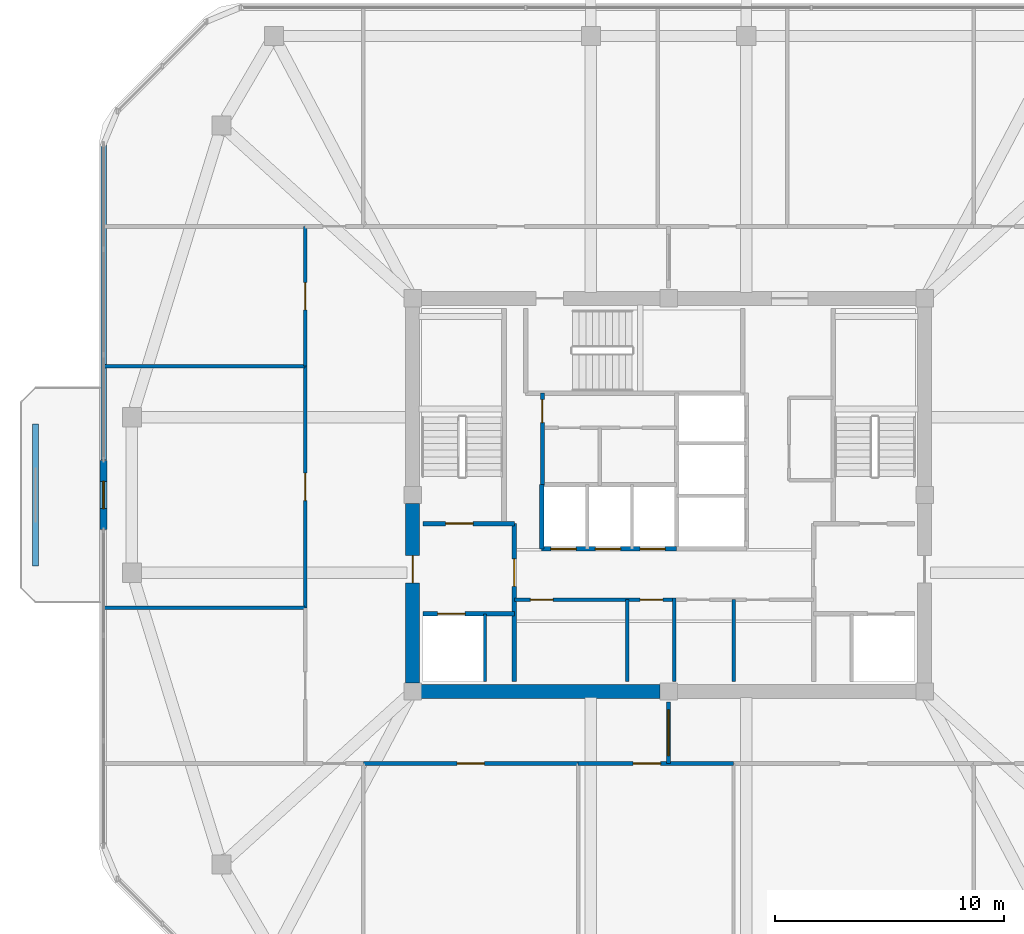
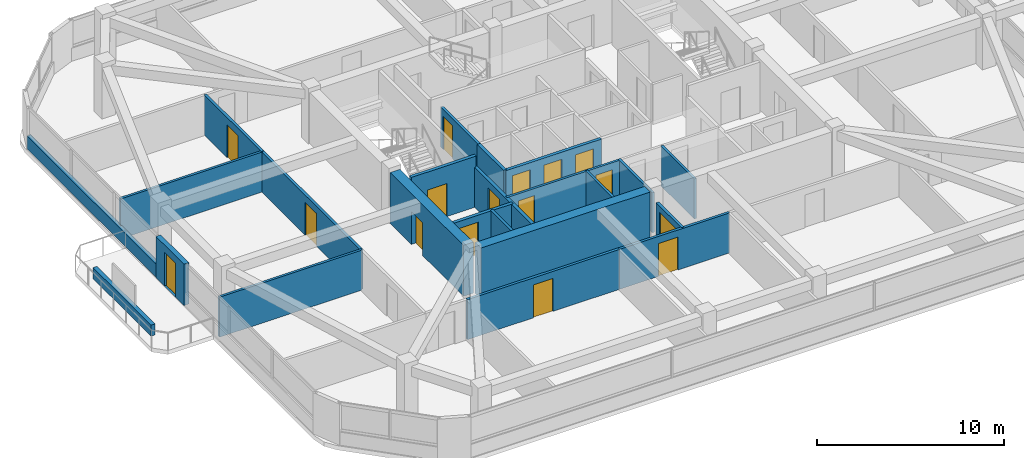
# One storey, part 9 of 14: 23 walls, 16 doors, 16 openings.
"""IFC4 building model written with IfcOpenShell, lengths in metres."""

from ifc_helpers import new_model, si_unit, derived_unit, direction, frame, frame_2d, origin, place, context, subcontext, project, spatial, rectangle, extrude, material, layer, layer_set, type_object, element, fill, save


model = new_model("IFC4")

# Units and contexts
model_context = context("Model", 3, precision=1e-05, world=origin(), true_north=direction((0.0, 1.0)))
body_context = subcontext(model_context, "Body", "Model", "MODEL_VIEW")
ifc_project = project(units=[si_unit("LENGTHUNIT", "METRE"), si_unit("AREAUNIT", "SQUARE_METRE"), si_unit("VOLUMEUNIT", "CUBIC_METRE"), si_unit("PLANEANGLEUNIT", "RADIAN"), si_unit("MASSUNIT", "GRAM", prefix="KILO"), derived_unit("THERMALTRANSMITTANCEUNIT", [(si_unit("POWERUNIT", "WATT"), 1), (si_unit("LENGTHUNIT", "METRE"), -2), (si_unit("THERMODYNAMICTEMPERATUREUNIT", "KELVIN"), -1)])], contexts=[model_context])

# Site, building, storey
site_placement = place(None, origin())
site = spatial("IfcSite", under=ifc_project, at=site_placement, CompositionType="ELEMENT")
building_placement = place(site_placement, origin())
building = spatial("IfcBuilding", under=site, at=building_placement, Name="Koralith Skygarden Medical Center", CompositionType="ELEMENT")
storey_placement = place(building_placement, frame((0.0, 0.0, 257.219970703125)))
storey = spatial("IfcBuildingStorey", under=building, at=storey_placement, Name="L66", CompositionType="ELEMENT", Elevation=257.219970703125)

# Wall, openings, doors
ifc_material_1 = material(Name="Gypsum Board Partition")
ifc_layer_1 = layer(ifc_material_1, 0.14990234375)
ifc_layer_set_1 = layer_set([ifc_layer_1], Name="Gypsum Board Partition")
wall_type_1 = type_object("IfcWallType", Name="Clinical Acoustic Partition 150", PredefinedType="PARTITIONING", material=ifc_layer_set_1)
wall_1_placement = place(storey_placement, frame((30.25, 21.320068359375, 0.0), z_axis=(0.0, 0.0, 1.0), x_axis=(1.0, 0.0, 0.0)))
wall_1 = element("IfcWall", 1, at=wall_1_placement, inside=storey, type_object=wall_type_1, Name="L66 Clinical Acoustic Partition 150 W-CORE-L66-FREED-LR-N", PredefinedType="PARTITIONING", context=body_context, shape_type="SweptSolid", body=[
    extrude(rectangle(XDim=7.0, YDim=0.14990234375, at=frame_2d((3.5, 0.0))), origin(), (0.0, 0.0, 1.0), 2.610107421875),
])
opening_1_placement = place(wall_1_placement, frame((0.699951171875, 0.0, 0.0)))
opening_1 = element("IfcOpeningElement", 2, at=opening_1_placement, cuts=wall_1, Name="Opening D-SUP", PredefinedType="OPENING", context=body_context, shape_type="SweptSolid", body=[
    extrude(rectangle(XDim=1.0, YDim=2.14990234375, at=frame_2d((0.5, 1.074951171875))), frame((0.0, 0.0849609375, 0.0), z_axis=(0.0, -1.0, 0.0), x_axis=(1.0, 0.0, 0.0)), (0.0, 0.0, 1.0), 0.169921875),
])
opening_2_placement = place(wall_1_placement, frame((5.5, 0.0, 0.0)))
opening_2 = element("IfcOpeningElement", 3, at=opening_2_placement, cuts=wall_1, Name="Opening D-SUP", PredefinedType="OPENING", context=body_context, shape_type="SweptSolid", body=[
    extrude(rectangle(XDim=1.0, YDim=2.14990234375, at=frame_2d((0.5, 1.074951171875))), frame((0.0, 0.0849609375, 0.0), z_axis=(0.0, -1.0, 0.0), x_axis=(1.0, 0.0, 0.0)), (0.0, 0.0, 1.0), 0.169921875),
])
ifc_material_2 = material(Name="Aluminium 6063-T6", Category="aluminium")
door_type_1 = type_object("IfcDoorType", Name="Clinical Support Door D-SUP 1000", OperationType="NOTDEFINED", PredefinedType="DOOR", material=ifc_material_2)
door_1_placement = place(opening_1_placement, frame((1.0, 0.0, 0.0), z_axis=(0.0, 0.0, 1.0), x_axis=(-1.0, 0.0, 0.0)))
door_1 = element("IfcDoor", 4, at=door_1_placement, inside=storey, type_object=door_type_1, Name="L66 Medication Preparation Door", OperationType="SINGLE_SWING_LEFT", OverallHeight=2.14990234375, OverallWidth=1.0, PredefinedType="DOOR", context=body_context, shape_type="SweptSolid", body=[
    extrude(rectangle(XDim=1.0, YDim=2.14990234375, at=frame_2d((0.5, 1.074951171875))), frame((0.0, 0.02490234375, 0.0), z_axis=(0.0, -1.0, 0.0), x_axis=(1.0, 0.0, 0.0)), (0.0, 0.0, 1.0), 0.050048828125),
])
fill(opening_1, door_1)
door_2_placement = place(opening_2_placement, frame((1.0, 0.0, 0.0), z_axis=(0.0, 0.0, 1.0), x_axis=(-1.0, 0.0, 0.0)))
door_2 = element("IfcDoor", 5, at=door_2_placement, inside=storey, type_object=door_type_1, Name="L66 Telemetry Room Door", OperationType="SINGLE_SWING_RIGHT", OverallHeight=2.14990234375, OverallWidth=1.0, PredefinedType="DOOR", context=body_context, shape_type="SweptSolid", body=[
    extrude(rectangle(XDim=1.0, YDim=2.14990234375, at=frame_2d((0.5, 1.074951171875))), frame((0.0, 0.02490234375, 0.0), z_axis=(0.0, -1.0, 0.0), x_axis=(1.0, 0.0, 0.0)), (0.0, 0.0, 1.0), 0.050048828125),
])
fill(opening_2, door_2)

# Walls
for number, where, z_axis, x_axis, name in (
    (6, (35.199951171875, 17.75, 0.0), (0.0, 0.0, 1.0), (0.0, 1.0, 0.0), "L66 Clinical Acoustic Partition 150 W-CORE-L66-FREED-LR-M"),
    (7, (39.85009765625, 17.75, 0.0), (0.0, 0.0, 1.0), (0.0, 1.0, 0.0), "L66 Clinical Acoustic Partition 150 W-CORE-L66-FREED-MR-M"),
):
    element("IfcWall", number, at=place(storey_placement, frame(where, z_axis=z_axis, x_axis=x_axis)), inside=storey, type_object=wall_type_1, Name=name, PredefinedType="PARTITIONING", context=body_context, shape_type="SweptSolid", body=[
        extrude(rectangle(XDim=3.570068359375, YDim=0.14990234375, at=frame_2d((1.78515625, 0.0))), origin(), (0.0, 0.0, 1.0), 2.610107421875),
    ])
for number, where, z_axis, x_axis, name in (
    (8, (21.10009765625, 20.965087890625, 0.0), (0.0, 0.0, 1.0), (-1.0, 0.0, 0.0), "L66 Clinical Acoustic Partition 150 W-PART-L66-W-01"),
    (9, (21.10009765625, 31.5400390625, 0.0), (0.0, 0.0, 1.0), (-1.0, 0.0, 0.0), "L66 Clinical Acoustic Partition 150 W-PART-L66-W-02"),
):
    element("IfcWall", number, at=place(storey_placement, frame(where, z_axis=z_axis, x_axis=x_axis)), inside=storey, type_object=wall_type_1, Name=name, PredefinedType="PARTITIONING", context=body_context, shape_type="SweptSolid", body=[
        extrude(rectangle(XDim=8.800048828125, YDim=0.14990234375, at=frame_2d((4.39990234375, 0.0))), origin(), (0.0, 0.0, 1.0), 2.610107421875),
    ])

# Wall, opening, door
ifc_layer_2 = layer(ifc_material_1, 0.1650390625)
ifc_layer_set_2 = layer_set([ifc_layer_2], Name="Gypsum Board Partition")
wall_type_2 = type_object("IfcWallType", Name="Clinical Corridor Partition 165", PredefinedType="PARTITIONING", material=ifc_layer_set_2)
wall_2_placement = place(storey_placement, frame((23.64990234375, 14.14990234375, 0.0), z_axis=(0.0, 0.0, 1.0), x_axis=(1.0, 0.0, 0.0)))
wall_2 = element("IfcWall", 10, at=wall_2_placement, inside=storey, type_object=wall_type_2, Name="L66 Clinical Corridor Partition 165 W-CORR-L66-S-02", PredefinedType="PARTITIONING", context=body_context, shape_type="SweptSolid", body=[
    extrude(rectangle(XDim=9.39111328125, YDim=0.1650390625, at=frame_2d((4.695556640625, 0.0))), origin(), (0.0, 0.0, 1.0), 2.610107421875),
])
opening_3_placement = place(wall_2_placement, frame((4.094970703125, 0.0, 0.0)))
opening_3 = element("IfcOpeningElement", 11, at=opening_3_placement, cuts=wall_2, Name="Opening D-CLN", PredefinedType="OPENING", context=body_context, shape_type="SweptSolid", body=[
    extrude(rectangle(XDim=1.199951171875, YDim=2.14990234375, at=frame_2d((0.60009765625, 1.074951171875))), frame((0.0, 0.092529296875, 0.0), z_axis=(0.0, -1.0, 0.0), x_axis=(1.0, 0.0, 0.0)), (0.0, 0.0, 1.0), 0.18505859375),
])
door_type_2 = type_object("IfcDoorType", Name="Clinical Corridor Door D-CLN 1200", OperationType="NOTDEFINED", PredefinedType="DOOR", material=ifc_material_2)
door_3_placement = place(opening_3_placement, frame((1.199951171875, 0.0, 0.0), z_axis=(0.0, 0.0, 1.0), x_axis=(-1.0, 0.0, 0.0)))
door_3 = element("IfcDoor", 12, at=door_3_placement, inside=storey, type_object=door_type_2, Name="L66 Vestibular Testing Exam Room 07 Door", OperationType="SINGLE_SWING_RIGHT", OverallHeight=2.14990234375, OverallWidth=1.199951171875, PredefinedType="DOOR", context=body_context, shape_type="SweptSolid", body=[
    extrude(rectangle(XDim=1.199951171875, YDim=2.14990234375, at=frame_2d((0.60009765625, 1.074951171875))), frame((0.0, 0.02490234375, 0.0), z_axis=(0.0, -1.0, 0.0), x_axis=(1.0, 0.0, 0.0)), (0.0, 0.0, 1.0), 0.050048828125),
])
fill(opening_3, door_3)

wall_3_placement = place(storey_placement, frame((33.041015625, 14.14990234375, 0.0), z_axis=(0.0, 0.0, 1.0), x_axis=(1.0, 0.0, 0.0)))
wall_3 = element("IfcWall", 13, at=wall_3_placement, inside=storey, type_object=wall_type_2, Name="L66 Clinical Corridor Partition 165 W-CORR-L66-S-03", PredefinedType="PARTITIONING", context=body_context, shape_type="SweptSolid", body=[
    extrude(rectangle(XDim=6.801025390625, YDim=0.1650390625, at=frame_2d((3.400390625, 0.0))), origin(), (0.0, 0.0, 1.0), 2.610107421875),
])
opening_4_placement = place(wall_3_placement, frame((2.412109375, 0.0, 0.0)))
opening_4 = element("IfcOpeningElement", 14, at=opening_4_placement, cuts=wall_3, Name="Opening D-CLN", PredefinedType="OPENING", context=body_context, shape_type="SweptSolid", body=[
    extrude(rectangle(XDim=1.199951171875, YDim=2.14990234375, at=frame_2d((0.60009765625, 1.074951171875))), frame((0.0, 0.092529296875, 0.0), z_axis=(0.0, -1.0, 0.0), x_axis=(1.0, 0.0, 0.0)), (0.0, 0.0, 1.0), 0.18505859375),
])
door_4_placement = place(opening_4_placement, frame((1.199951171875, 0.0, 0.0), z_axis=(0.0, 0.0, 1.0), x_axis=(-1.0, 0.0, 0.0)))
door_4 = element("IfcDoor", 15, at=door_4_placement, inside=storey, type_object=door_type_2, Name="L66 Clinical Consultation Office 08 Door", OperationType="SINGLE_SWING_LEFT", OverallHeight=2.14990234375, OverallWidth=1.199951171875, PredefinedType="DOOR", context=body_context, shape_type="SweptSolid", body=[
    extrude(rectangle(XDim=1.199951171875, YDim=2.14990234375, at=frame_2d((0.60009765625, 1.074951171875))), frame((0.0, 0.02490234375, 0.0), z_axis=(0.0, -1.0, 0.0), x_axis=(1.0, 0.0, 0.0)), (0.0, 0.0, 1.0), 0.050048828125),
])
fill(opening_4, door_4)

wall_4_placement = place(storey_placement, frame((21.10009765625, 20.965087890625, 0.0), z_axis=(0.0, 0.0, 1.0), x_axis=(0.0, 1.0, 0.0)))
wall_4 = element("IfcWall", 16, at=wall_4_placement, inside=storey, type_object=wall_type_2, Name="L66 Clinical Corridor Partition 165 W-CORR-L66-W-02", PredefinedType="PARTITIONING", context=body_context, shape_type="SweptSolid", body=[
    extrude(rectangle(XDim=10.574951171875, YDim=0.1650390625, at=frame_2d((5.28759765625, 0.0))), origin(), (0.0, 0.0, 1.0), 2.610107421875),
])
opening_5_placement = place(wall_4_placement, frame((4.68798828125, 0.0, 0.0)))
opening_5 = element("IfcOpeningElement", 17, at=opening_5_placement, cuts=wall_4, Name="Opening D-CLN", PredefinedType="OPENING", context=body_context, shape_type="SweptSolid", body=[
    extrude(rectangle(XDim=1.199951171875, YDim=2.14990234375, at=frame_2d((0.60009765625, 1.074951171875))), frame((0.0, 0.092529296875, 0.0), z_axis=(0.0, -1.0, 0.0), x_axis=(1.0, 0.0, 0.0)), (0.0, 0.0, 1.0), 0.18505859375),
])
door_5_placement = place(opening_5_placement, frame((1.199951171875, 0.0, 0.0), z_axis=(0.0, 0.0, 1.0), x_axis=(-1.0, 0.0, 0.0)))
door_5 = element("IfcDoor", 18, at=door_5_placement, inside=storey, type_object=door_type_2, Name="L66 Patient and Family Sky-Garden Day Lounge 12 Door", OperationType="SINGLE_SWING_LEFT", OverallHeight=2.14990234375, OverallWidth=1.199951171875, PredefinedType="DOOR", context=body_context, shape_type="SweptSolid", body=[
    extrude(rectangle(XDim=1.199951171875, YDim=2.14990234375, at=frame_2d((0.60009765625, 1.074951171875))), frame((0.0, 0.02490234375, 0.0), z_axis=(0.0, -1.0, 0.0), x_axis=(1.0, 0.0, 0.0)), (0.0, 0.0, 1.0), 0.050048828125),
])
fill(opening_5, door_5)

wall_5_placement = place(storey_placement, frame((21.10009765625, 31.5400390625, 0.0), z_axis=(0.0, 0.0, 1.0), x_axis=(0.0, 1.0, 0.0)))
wall_5 = element("IfcWall", 19, at=wall_5_placement, inside=storey, type_object=wall_type_2, Name="L66 Clinical Corridor Partition 165 W-CORR-L66-W-03", PredefinedType="PARTITIONING", context=body_context, shape_type="SweptSolid", body=[
    extrude(rectangle(XDim=6.10986328125, YDim=0.1650390625, at=frame_2d((3.054931640625, 0.0))), origin(), (0.0, 0.0, 1.0), 2.610107421875),
])
opening_6_placement = place(wall_5_placement, frame((2.455078125, 0.0, 0.0)))
opening_6 = element("IfcOpeningElement", 20, at=opening_6_placement, cuts=wall_5, Name="Opening D-CLN", PredefinedType="OPENING", context=body_context, shape_type="SweptSolid", body=[
    extrude(rectangle(XDim=1.199951171875, YDim=2.14990234375, at=frame_2d((0.60009765625, 1.074951171875))), frame((0.0, 0.092529296875, 0.0), z_axis=(0.0, -1.0, 0.0), x_axis=(1.0, 0.0, 0.0)), (0.0, 0.0, 1.0), 0.18505859375),
])
door_6_placement = place(opening_6_placement, frame((1.199951171875, 0.0, 0.0), z_axis=(0.0, 0.0, 1.0), x_axis=(-1.0, 0.0, 0.0)))
door_6 = element("IfcDoor", 21, at=door_6_placement, inside=storey, type_object=door_type_2, Name="L66 Clinical Consultation Office 13 Door", OperationType="SINGLE_SWING_RIGHT", OverallHeight=2.14990234375, OverallWidth=1.199951171875, PredefinedType="DOOR", context=body_context, shape_type="SweptSolid", body=[
    extrude(rectangle(XDim=1.199951171875, YDim=2.14990234375, at=frame_2d((0.60009765625, 1.074951171875))), frame((0.0, 0.02490234375, 0.0), z_axis=(0.0, -1.0, 0.0), x_axis=(1.0, 0.0, 0.0)), (0.0, 0.0, 1.0), 0.050048828125),
])
fill(opening_6, door_6)

ifc_layer_3 = layer(ifc_material_1, 0.199951171875)
ifc_layer_set_3 = layer_set([ifc_layer_3], Name="Gypsum Board Partition")
wall_type_3 = type_object("IfcWallType", Name="Fire Shaft Wall 200", PredefinedType="SOLIDWALL", material=ifc_layer_set_3)
wall_6_placement = place(storey_placement, frame((26.25, 20.699951171875, 0.0), z_axis=(0.0, 0.0, 1.0), x_axis=(1.0, 0.0, 0.0)))
wall_6 = element("IfcWall", 22, at=wall_6_placement, inside=storey, type_object=wall_type_3, Name="L66 Fire Shaft Wall 200 W-CORE-L66-FF1-N", PredefinedType="SOLIDWALL", context=body_context, shape_type="SweptSolid", body=[
    extrude(rectangle(XDim=4.0, YDim=0.199951171875, at=frame_2d((2.0, 0.0))), origin(), (0.0, 0.0, 1.0), 2.610107421875),
])
opening_7_placement = place(wall_6_placement, frame((0.64990234375, 0.0, 0.0)))
opening_7 = element("IfcOpeningElement", 23, at=opening_7_placement, cuts=wall_6, Name="Opening LD-FF", PredefinedType="OPENING", context=body_context, shape_type="SweptSolid", body=[
    extrude(rectangle(XDim=1.199951171875, YDim=2.14990234375, at=frame_2d((0.60009765625, 1.074951171875))), frame((0.0, 0.10986328125, 0.0), z_axis=(0.0, -1.0, 0.0), x_axis=(1.0, 0.0, 0.0)), (0.0, 0.0, 1.0), 0.219970703125),
])
ifc_material_3 = material(Name="Steel ASTM A500 Grade C", Category="steel")
door_type_3 = type_object("IfcDoorType", Name="Fire Lift Sliding Landing Door LD-FF 1200", OperationType="NOTDEFINED", PredefinedType="DOOR", material=ifc_material_3)
door_7_placement = place(opening_7_placement, origin())
door_7 = element("IfcDoor", 24, at=door_7_placement, inside=storey, type_object=door_type_3, Name="L66 Fire Service Elevator FF1 Landing Door", OperationType="SLIDING_TO_LEFT", OverallHeight=2.14990234375, OverallWidth=1.199951171875, PredefinedType="DOOR", context=body_context, shape_type="SweptSolid", body=[
    extrude(rectangle(XDim=1.199951171875, YDim=2.14990234375, at=frame_2d((0.60009765625, 1.074951171875))), frame((0.0, 0.02490234375, 0.0), z_axis=(0.0, -1.0, 0.0), x_axis=(1.0, 0.0, 0.0)), (0.0, 0.0, 1.0), 0.050048828125),
])
fill(opening_7, door_7)

wall_7_placement = place(storey_placement, frame((30.25, 17.75, 0.0), z_axis=(0.0, 0.0, 1.0), x_axis=(0.0, 1.0, 0.0)))
wall_7 = element("IfcWall", 25, at=wall_7_placement, inside=storey, type_object=wall_type_3, Name="L66 Fire Shaft Wall 200 W-CORE-L66-FSAEW-E", PredefinedType="SOLIDWALL", context=body_context, shape_type="SweptSolid", body=[
    extrude(rectangle(XDim=6.89990234375, YDim=0.199951171875, at=frame_2d((3.449951171875, 0.0))), origin(), (0.0, 0.0, 1.0), 2.610107421875),
])
opening_8_placement = place(wall_7_placement, frame((4.14990234375, 0.0, 0.0)))
opening_8 = element("IfcOpeningElement", 26, at=opening_8_placement, cuts=wall_7, Name="Opening D-ST60", PredefinedType="OPENING", context=body_context, shape_type="SweptSolid", body=[
    extrude(rectangle(XDim=1.199951171875, YDim=2.14990234375, at=frame_2d((0.60009765625, 1.074951171875))), frame((0.0, 0.10986328125, 0.0), z_axis=(0.0, -1.0, 0.0), x_axis=(1.0, 0.0, 0.0)), (0.0, 0.0, 1.0), 0.219970703125),
])
door_type_4 = type_object("IfcDoorType", Name="Smokeproof Stair Fire Door FD60S 1200", OperationType="NOTDEFINED", PredefinedType="DOOR", material=ifc_material_3)
door_8_placement = place(opening_8_placement, origin())
door_8 = element("IfcDoor", 27, at=door_8_placement, inside=storey, type_object=door_type_4, Name="L66 West Firefighting Lobby Inner Fire Door", OperationType="SINGLE_SWING_LEFT", OverallHeight=2.14990234375, OverallWidth=1.199951171875, PredefinedType="DOOR", context=body_context, shape_type="SweptSolid", body=[
    extrude(rectangle(XDim=1.199951171875, YDim=2.14990234375, at=frame_2d((0.60009765625, 1.074951171875))), frame((0.0, 0.02490234375, 0.0), z_axis=(0.0, -1.0, 0.0), x_axis=(1.0, 0.0, 0.0)), (0.0, 0.0, 1.0), 0.050048828125),
])
fill(opening_8, door_8)

# Wall, openings, doors
wall_8_placement = place(storey_placement, frame((31.449951171875, 23.5400390625, 0.0), z_axis=(0.0, 0.0, 1.0), x_axis=(1.0, 0.0, 0.0)))
wall_8 = element("IfcWall", 28, at=wall_8_placement, inside=storey, type_object=wall_type_3, Name="L66 Fire Shaft Wall 200 W-CORE-L66-PH-S", PredefinedType="SOLIDWALL", context=body_context, shape_type="SweptSolid", body=[
    extrude(rectangle(XDim=5.900146484375, YDim=0.199951171875, at=frame_2d((2.9501953125, 0.0))), origin(), (0.0, 0.0, 1.0), 2.610107421875),
])
opening_9_placement = place(wall_8_placement, frame((0.39990234375, 0.0, 0.0)))
opening_9 = element("IfcOpeningElement", 29, at=opening_9_placement, cuts=wall_8, Name="Opening LD-P", PredefinedType="OPENING", context=body_context, shape_type="SweptSolid", body=[
    extrude(rectangle(XDim=1.10009765625, YDim=2.14990234375, at=frame_2d((0.550048828125, 1.074951171875))), frame((0.0, 0.10986328125, 0.0), z_axis=(0.0, -1.0, 0.0), x_axis=(1.0, 0.0, 0.0)), (0.0, 0.0, 1.0), 0.219970703125),
])
opening_10_placement = place(wall_8_placement, frame((2.35009765625, 0.0, 0.0)))
opening_10 = element("IfcOpeningElement", 30, at=opening_10_placement, cuts=wall_8, Name="Opening LD-P", PredefinedType="OPENING", context=body_context, shape_type="SweptSolid", body=[
    extrude(rectangle(XDim=1.10009765625, YDim=2.14990234375, at=frame_2d((0.550048828125, 1.074951171875))), frame((0.0, 0.10986328125, 0.0), z_axis=(0.0, -1.0, 0.0), x_axis=(1.0, 0.0, 0.0)), (0.0, 0.0, 1.0), 0.219970703125),
])
opening_11_placement = place(wall_8_placement, frame((4.300048828125, 0.0, 0.0)))
opening_11 = element("IfcOpeningElement", 31, at=opening_11_placement, cuts=wall_8, Name="Opening LD-P", PredefinedType="OPENING", context=body_context, shape_type="SweptSolid", body=[
    extrude(rectangle(XDim=1.10009765625, YDim=2.14990234375, at=frame_2d((0.550048828125, 1.074951171875))), frame((0.0, 0.10986328125, 0.0), z_axis=(0.0, -1.0, 0.0), x_axis=(1.0, 0.0, 0.0)), (0.0, 0.0, 1.0), 0.219970703125),
])
door_type_5 = type_object("IfcDoorType", Name="Passenger Lift Sliding Landing Door LD-P 1100", OperationType="NOTDEFINED", PredefinedType="DOOR", material=ifc_material_3)
door_9_placement = place(opening_9_placement, origin())
door_9 = element("IfcDoor", 32, at=door_9_placement, inside=storey, type_object=door_type_5, Name="L66 Passenger Elevator PH1 Landing Door", OperationType="SLIDING_TO_RIGHT", OverallHeight=2.14990234375, OverallWidth=1.10009765625, PredefinedType="DOOR", context=body_context, shape_type="SweptSolid", body=[
    extrude(rectangle(XDim=1.10009765625, YDim=2.14990234375, at=frame_2d((0.550048828125, 1.074951171875))), frame((0.0, 0.02490234375, 0.0), z_axis=(0.0, -1.0, 0.0), x_axis=(1.0, 0.0, 0.0)), (0.0, 0.0, 1.0), 0.050048828125),
])
fill(opening_9, door_9)
door_10_placement = place(opening_10_placement, origin())
door_10 = element("IfcDoor", 33, at=door_10_placement, inside=storey, type_object=door_type_5, Name="L66 Passenger Elevator PH2 Landing Door", OperationType="SLIDING_TO_RIGHT", OverallHeight=2.14990234375, OverallWidth=1.10009765625, PredefinedType="DOOR", context=body_context, shape_type="SweptSolid", body=[
    extrude(rectangle(XDim=1.10009765625, YDim=2.14990234375, at=frame_2d((0.550048828125, 1.074951171875))), frame((0.0, 0.02490234375, 0.0), z_axis=(0.0, -1.0, 0.0), x_axis=(1.0, 0.0, 0.0)), (0.0, 0.0, 1.0), 0.050048828125),
])
fill(opening_10, door_10)
door_11_placement = place(opening_11_placement, origin())
door_11 = element("IfcDoor", 34, at=door_11_placement, inside=storey, type_object=door_type_5, Name="L66 Passenger Elevator PH3 Landing Door", OperationType="SLIDING_TO_RIGHT", OverallHeight=2.14990234375, OverallWidth=1.10009765625, PredefinedType="DOOR", context=body_context, shape_type="SweptSolid", body=[
    extrude(rectangle(XDim=1.10009765625, YDim=2.14990234375, at=frame_2d((0.550048828125, 1.074951171875))), frame((0.0, 0.02490234375, 0.0), z_axis=(0.0, -1.0, 0.0), x_axis=(1.0, 0.0, 0.0)), (0.0, 0.0, 1.0), 0.050048828125),
])
fill(opening_11, door_11)

# Wall
wall_9_placement = place(storey_placement, frame((31.449951171875, 23.5400390625, 0.0), z_axis=(0.0, 0.0, 1.0), x_axis=(0.0, 1.0, 0.0)))
element("IfcWall", 35, at=wall_9_placement, inside=storey, type_object=wall_type_3, Name="L66 Fire Shaft Wall 200 W-CORE-L66-PH-W", PredefinedType="SOLIDWALL", context=body_context, shape_type="SweptSolid", body=[
    extrude(rectangle(XDim=2.81005859375, YDim=0.199951171875, at=frame_2d((1.405029296875, 0.0))), origin(), (0.0, 0.0, 1.0), 2.610107421875),
])

# Wall, opening, door
ifc_layer_4 = layer(ifc_material_1, 0.179931640625)
ifc_layer_set_4 = layer_set([ifc_layer_4], Name="Gypsum Board Partition")
wall_type_4 = type_object("IfcWallType", Name="Group I-2 Smoke Barrier Wall 180", PredefinedType="PARTITIONING", material=ifc_layer_set_4)
wall_10_placement = place(storey_placement, frame((37.0, 14.14990234375, 0.0), z_axis=(0.0, 0.0, 1.0), x_axis=(0.0, 1.0, 0.0)))
wall_10 = element("IfcWall", 36, at=wall_10_placement, inside=storey, type_object=wall_type_4, Name="L66 Group I-2 Smoke Barrier Wall 180 W-SMK-L66-S", PredefinedType="PARTITIONING", context=body_context, shape_type="SweptSolid", body=[
    extrude(rectangle(XDim=2.7001953125, YDim=0.179931640625, at=frame_2d((1.35009765625, 0.0))), origin(), (0.0, 0.0, 1.0), 2.610107421875),
])
opening_12_placement = place(wall_10_placement, frame((0.35009765625, 0.0, 0.0)))
opening_12 = element("IfcOpeningElement", 37, at=opening_12_placement, cuts=wall_10, Name="Opening D-SMK", PredefinedType="OPENING", context=body_context, shape_type="SweptSolid", body=[
    extrude(rectangle(XDim=2.0, YDim=2.199951171875, at=frame_2d((1.0, 1.10009765625))), frame((0.0, 0.099853515625, 0.0), z_axis=(0.0, -1.0, 0.0), x_axis=(1.0, 0.0, 0.0)), (0.0, 0.0, 1.0), 0.199951171875),
])
door_type_6 = type_object("IfcDoorType", Name="Cross-Corridor Double Smoke Door FD60S 2000", OperationType="NOTDEFINED", PredefinedType="DOOR", material=ifc_material_3)
door_12_placement = place(opening_12_placement, frame((2.0, 0.0, 0.0), z_axis=(0.0, 0.0, 1.0), x_axis=(-1.0, 0.0, 0.0)))
door_12 = element("IfcDoor", 38, at=door_12_placement, inside=storey, type_object=door_type_6, Name="L66 S Smoke Compartment Cross-Corridor Door", OperationType="DOUBLE_DOOR_SINGLE_SWING", OverallHeight=2.199951171875, OverallWidth=2.0, PredefinedType="DOOR", context=body_context, shape_type="SweptSolid", body=[
    extrude(rectangle(XDim=2.0, YDim=2.199951171875, at=frame_2d((1.0, 1.10009765625))), frame((0.0, 0.02490234375, 0.0), z_axis=(0.0, -1.0, 0.0), x_axis=(1.0, 0.0, 0.0)), (0.0, 0.0, 1.0), 0.050048828125),
])
fill(opening_12, door_12)

# Wall
ifc_material_4 = material(Name="Warm Oolitic Limestone Cladding", Category="masonry")
ifc_layer_5 = layer(ifc_material_4, 0.239990234375)
ifc_layer_set_5 = layer_set([ifc_layer_5], Name="Warm Oolitic Limestone Cladding")
wall_type_5 = type_object("IfcWallType", Name="Limestone Spandrel Sill Backup Wall 240", PredefinedType="SOLIDWALL", material=ifc_layer_set_5)
wall_11_placement = place(storey_placement, frame((12.280029296875, 41.2451171875, 0.0), z_axis=(0.0, 0.0, 1.0), x_axis=(0.0, -1.0, 0.0)))
element("IfcWall", 39, at=wall_11_placement, inside=storey, type_object=wall_type_5, Name="L66 Sill Spandrel W-L", PredefinedType="SOLIDWALL", context=body_context, shape_type="SweptSolid", body=[
    extrude(rectangle(XDim=13.80517578125, YDim=0.239990234375, at=frame_2d((6.902587890625, 0.0))), origin(), (0.0, 0.0, 1.0), 0.85009765625),
])

# Wall, opening, door
ifc_layer_6 = layer(ifc_material_4, 0.300048828125)
ifc_layer_set_6 = layer_set([ifc_layer_6], Name="Warm Oolitic Limestone Cladding")
wall_type_6 = type_object("IfcWallType", Name="Oolitic Limestone Insulated Facade Wall 300", PredefinedType="SOLIDWALL", material=ifc_layer_set_6)
wall_12_placement = place(storey_placement, frame((12.280029296875, 27.39990234375, 0.0), z_axis=(0.0, 0.0, 1.0), x_axis=(0.0, -1.0, 0.0)))
wall_12 = element("IfcWall", 40, at=wall_12_placement, inside=storey, type_object=wall_type_6, Name="L66 Terrace Portal Wall W", PredefinedType="SOLIDWALL", context=body_context, shape_type="SweptSolid", body=[
    extrude(rectangle(XDim=3.0, YDim=0.300048828125, at=frame_2d((1.5, 0.0))), origin(), (0.0, 0.0, 1.0), 2.68994140625),
])
opening_13_placement = place(wall_12_placement, frame((0.89990234375, 0.0, 0.0)))
opening_13 = element("IfcOpeningElement", 41, at=opening_13_placement, cuts=wall_12, Name="Opening D-BAL", PredefinedType="OPENING", context=body_context, shape_type="SweptSolid", body=[
    extrude(rectangle(XDim=1.199951171875, YDim=2.199951171875, at=frame_2d((0.60009765625, 1.10009765625))), frame((0.0, 0.159912109375, 0.0), z_axis=(0.0, -1.0, 0.0), x_axis=(1.0, 0.0, 0.0)), (0.0, 0.0, 1.0), 0.320068359375),
])
door_type_7 = type_object("IfcDoorType", Name="Planted Balcony Glazed Terrace Door D-BAL 1200", OperationType="NOTDEFINED", PredefinedType="DOOR", material=ifc_material_2)
door_13_placement = place(opening_13_placement, origin())
door_13 = element("IfcDoor", 42, at=door_13_placement, inside=storey, type_object=door_type_7, Name="L66 W Outdoor Terrace Access Door", OperationType="SINGLE_SWING_LEFT", OverallHeight=2.199951171875, OverallWidth=1.199951171875, PredefinedType="DOOR", context=body_context, shape_type="SweptSolid", body=[
    extrude(rectangle(XDim=1.199951171875, YDim=2.199951171875, at=frame_2d((0.60009765625, 1.10009765625))), frame((0.0, 0.02490234375, 0.0), z_axis=(0.0, -1.0, 0.0), x_axis=(1.0, 0.0, 0.0)), (0.0, 0.0, 1.0), 0.050048828125),
])
fill(opening_13, door_13)

ifc_layer_7 = layer(ifc_material_1, 0.1650390625)
ifc_layer_set_7 = layer_set([ifc_layer_7], Name="Gypsum Board Partition")
wall_type_7 = type_object("IfcWallType", Name="Plumbing Wet Wall 165", PredefinedType="PLUMBINGWALL", material=ifc_layer_set_7)
wall_13_placement = place(storey_placement, frame((31.47998046875, 26.320068359375, 0.0), z_axis=(0.0, 0.0, 1.0), x_axis=(0.0, 1.0, 0.0)))
wall_13 = element("IfcWall", 43, at=wall_13_placement, inside=storey, type_object=wall_type_7, Name="L66 Plumbing Wet Wall 165 W-CORE-L66-FLEX-W", PredefinedType="PLUMBINGWALL", context=body_context, shape_type="SweptSolid", body=[
    extrude(rectangle(XDim=4.0400390625, YDim=0.1650390625, at=frame_2d((2.02001953125, 0.0))), origin(), (0.0, 0.0, 1.0), 2.610107421875),
])
opening_14_placement = place(wall_13_placement, frame((2.75, 0.0, 0.0)))
opening_14 = element("IfcOpeningElement", 44, at=opening_14_placement, cuts=wall_13, Name="Opening D-SUP", PredefinedType="OPENING", context=body_context, shape_type="SweptSolid", body=[
    extrude(rectangle(XDim=1.0, YDim=2.14990234375, at=frame_2d((0.5, 1.074951171875))), frame((0.0, 0.092529296875, 0.0), z_axis=(0.0, -1.0, 0.0), x_axis=(1.0, 0.0, 0.0)), (0.0, 0.0, 1.0), 0.18505859375),
])
door_14_placement = place(opening_14_placement, frame((1.0, 0.0, 0.0), z_axis=(0.0, 0.0, 1.0), x_axis=(-1.0, 0.0, 0.0)))
door_14 = element("IfcDoor", 45, at=door_14_placement, inside=storey, type_object=door_type_1, Name="L66 Core Utility Alcove Door", OperationType="SINGLE_SWING_RIGHT", OverallHeight=2.14990234375, OverallWidth=1.0, PredefinedType="DOOR", context=body_context, shape_type="SweptSolid", body=[
    extrude(rectangle(XDim=1.0, YDim=2.14990234375, at=frame_2d((0.5, 1.074951171875))), frame((0.0, 0.02490234375, 0.0), z_axis=(0.0, -1.0, 0.0), x_axis=(1.0, 0.0, 0.0)), (0.0, 0.0, 1.0), 0.050048828125),
])
fill(opening_14, door_14)

# Walls
ifc_layer_8 = layer(ifc_material_1, 0.14990234375)
ifc_layer_set_8 = layer_set([ifc_layer_8], Name="Gypsum Board Partition")
wall_type_8 = type_object("IfcWallType", Name="Shaft Partition Wall 150", PredefinedType="PARTITIONING", material=ifc_layer_set_8)
wall_14_placement = place(storey_placement, frame((28.969970703125, 17.75, 0.0), z_axis=(0.0, 0.0, 1.0), x_axis=(0.0, 1.0, 0.0)))
element("IfcWall", 46, at=wall_14_placement, inside=storey, type_object=wall_type_8, Name="L66 Shaft Partition Wall 150 W-CORE-L66-RSRW-DIV", PredefinedType="PARTITIONING", context=body_context, shape_type="SweptSolid", body=[
    extrude(rectangle(XDim=2.949951171875, YDim=0.14990234375, at=frame_2d((1.47509765625, 0.0))), origin(), (0.0, 0.0, 1.0), 2.610107421875),
])
wall_15_placement = place(storey_placement, frame((37.25, 17.75, 0.0), z_axis=(0.0, 0.0, 1.0), x_axis=(0.0, 1.0, 0.0)))
element("IfcWall", 47, at=wall_15_placement, inside=storey, type_object=wall_type_8, Name="L66 Shaft Partition Wall 150 W-CORE-L66-PL-PM-SEP", PredefinedType="PARTITIONING", context=body_context, shape_type="SweptSolid", body=[
    extrude(rectangle(XDim=3.64990234375, YDim=0.14990234375, at=frame_2d((1.824951171875, 0.0))), origin(), (0.0, 0.0, 1.0), 2.610107421875),
])
ifc_material_5 = material(Name="Precast concrete C40/50", Category="concrete")
ifc_layer_9 = layer(ifc_material_5, 0.25)
ifc_layer_set_9 = layer_set([ifc_layer_9], Name="Precast concrete C40/50")
wall_type_9 = type_object("IfcWallType", Name="Structural Concrete Balcony Planter Kerb 250", PredefinedType="PARAPET", material=ifc_layer_set_9)
wall_16_placement = place(storey_placement, frame((9.300048828125, 22.800048828125, 0.0), z_axis=(0.0, 0.0, 1.0), x_axis=(0.0, 1.0, 0.0)))
element("IfcWall", 48, at=wall_16_placement, inside=storey, type_object=wall_type_9, Name="L66 W Structural Tree PLANTER Box", PredefinedType="PARAPET", context=body_context, shape_type="SweptSolid", body=[
    extrude(rectangle(XDim=6.199951171875, YDim=0.25, at=frame_2d((3.10009765625, 0.0))), origin(), (0.0, 0.0, 1.0), 0.719970703125),
])

# Wall, opening, door
ifc_material_6 = material(Name="Concrete C45/55", Category="concrete")
ifc_layer_10 = layer(ifc_material_6, 0.199951171875)
ifc_layer_set_10 = layer_set([ifc_layer_10], Name="Concrete C45/55")
wall_type_10 = type_object("IfcWallType", Name="Structural Stair Shaft Wall 200", PredefinedType="SHEAR", material=ifc_layer_set_10)
wall_17_placement = place(storey_placement, frame((26.25, 24.64990234375, 0.0), z_axis=(0.0, 0.0, 1.0), x_axis=(1.0, 0.0, 0.0)))
wall_17 = element("IfcWall", 49, at=wall_17_placement, inside=storey, type_object=wall_type_10, Name="L66 Structural Stair Shaft Wall 200 W-CORE-L66-ST1-S", PredefinedType="SHEAR", context=body_context, shape_type="SweptSolid", body=[
    extrude(rectangle(XDim=4.0, YDim=0.199951171875, at=frame_2d((2.0, 0.0))), origin(), (0.0, 0.0, 1.0), 3.320068359375),
])
opening_15_placement = place(wall_17_placement, frame((1.0, 0.0, 0.0)))
opening_15 = element("IfcOpeningElement", 50, at=opening_15_placement, cuts=wall_17, Name="Opening D-ST60", PredefinedType="OPENING", context=body_context, shape_type="SweptSolid", body=[
    extrude(rectangle(XDim=1.199951171875, YDim=2.14990234375, at=frame_2d((0.60009765625, 1.074951171875))), frame((0.0, 0.10986328125, 0.0), z_axis=(0.0, -1.0, 0.0), x_axis=(1.0, 0.0, 0.0)), (0.0, 0.0, 1.0), 0.219970703125),
])
door_15_placement = place(opening_15_placement, origin())
door_15 = element("IfcDoor", 51, at=door_15_placement, inside=storey, type_object=door_type_4, Name="L66 Exit Stair ST1 Fire Door", OperationType="SINGLE_SWING_LEFT", OverallHeight=2.14990234375, OverallWidth=1.199951171875, PredefinedType="DOOR", context=body_context, shape_type="SweptSolid", body=[
    extrude(rectangle(XDim=1.199951171875, YDim=2.14990234375, at=frame_2d((0.60009765625, 1.074951171875))), frame((0.0, 0.02490234375, 0.0), z_axis=(0.0, -1.0, 0.0), x_axis=(1.0, 0.0, 0.0)), (0.0, 0.0, 1.0), 0.050048828125),
])
fill(opening_15, door_15)

# Wall
ifc_material_7 = material(Name="Concrete C55/67", Category="concrete")
ifc_layer_11 = layer(ifc_material_7, 0.60009765625)
ifc_layer_set_11 = layer_set([ifc_layer_11], Name="Concrete C55/67")
wall_type_11 = type_object("IfcWallType", Name="Upper Core Shear Wall 600", PredefinedType="SHEAR", material=ifc_layer_set_11)
wall_18_placement = place(storey_placement, frame((26.175048828125, 17.300048828125, 0.0), z_axis=(0.0, 0.0, 1.0), x_axis=(1.0, 0.0, 0.0)))
element("IfcWall", 52, at=wall_18_placement, inside=storey, type_object=wall_type_11, Name="L66 Core Shear Wall Segment 1", PredefinedType="SHEAR", context=body_context, shape_type="SweptSolid", body=[
    extrude(rectangle(XDim=10.449951171875, YDim=0.60009765625, at=frame_2d((5.22509765625, 0.0))), origin(), (0.0, 0.0, 1.0), 3.320068359375),
])

# Wall, opening, door
wall_19_placement = place(storey_placement, frame((25.800048828125, 25.52490234375, 0.0), z_axis=(0.0, 0.0, 1.0), x_axis=(0.0, -1.0, 0.0)))
wall_19 = element("IfcWall", 53, at=wall_19_placement, inside=storey, type_object=wall_type_11, Name="L66 Core Shear Wall Segment 8", PredefinedType="SHEAR", context=body_context, shape_type="SweptSolid", body=[
    extrude(rectangle(XDim=7.849853515625, YDim=0.60009765625, at=frame_2d((3.9248046875, 0.0))), origin(), (0.0, 0.0, 1.0), 3.320068359375),
])
opening_16_placement = place(wall_19_placement, frame((2.27490234375, 0.0, 0.0)))
opening_16 = element("IfcOpeningElement", 54, at=opening_16_placement, cuts=wall_19, Name="Opening D-ST60", PredefinedType="OPENING", context=body_context, shape_type="SweptSolid", body=[
    extrude(rectangle(XDim=1.199951171875, YDim=2.14990234375, at=frame_2d((0.60009765625, 1.074951171875))), frame((0.0, 0.31005859375, 0.0), z_axis=(0.0, -1.0, 0.0), x_axis=(1.0, 0.0, 0.0)), (0.0, 0.0, 1.0), 0.6201171875),
])
door_16_placement = place(opening_16_placement, frame((1.199951171875, 0.0, 0.0), z_axis=(0.0, 0.0, 1.0), x_axis=(-1.0, 0.0, 0.0)))
door_16 = element("IfcDoor", 55, at=door_16_placement, inside=storey, type_object=door_type_4, Name="L66 West Corridor to Firefighting Lobby Door", OperationType="SINGLE_SWING_LEFT", OverallHeight=2.14990234375, OverallWidth=1.199951171875, PredefinedType="DOOR", context=body_context, shape_type="SweptSolid", body=[
    extrude(rectangle(XDim=1.199951171875, YDim=2.14990234375, at=frame_2d((0.60009765625, 1.074951171875))), frame((0.0, 0.02490234375, 0.0), z_axis=(0.0, -1.0, 0.0), x_axis=(1.0, 0.0, 0.0)), (0.0, 0.0, 1.0), 0.050048828125),
])
fill(opening_16, door_16)

save(model, "model.ifc")
